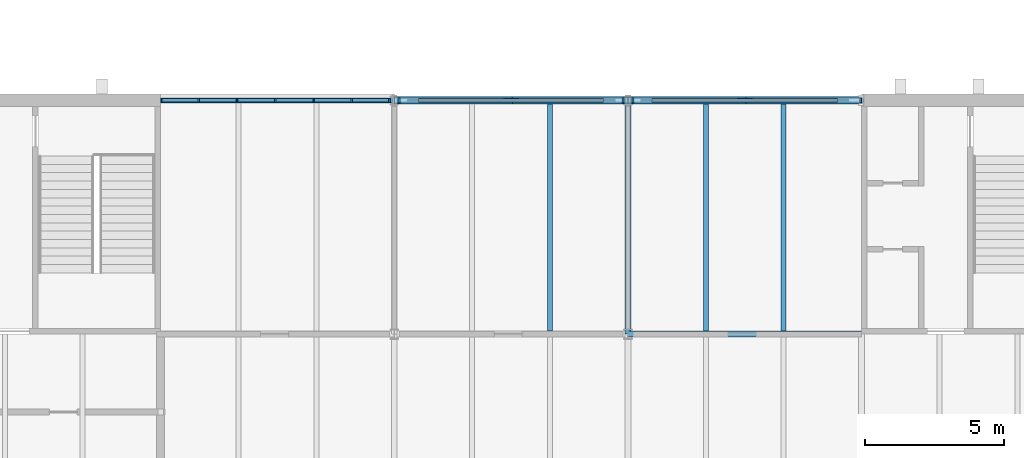
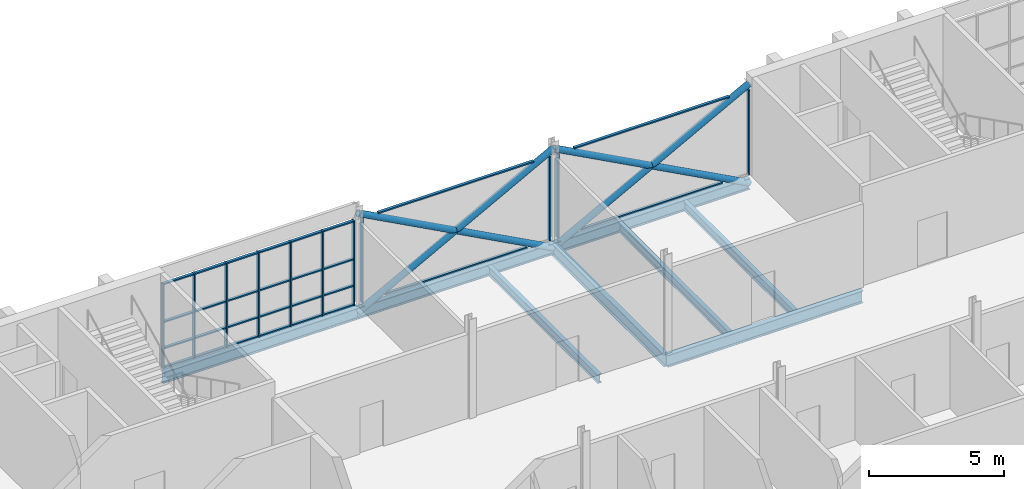
# One storey, part 49 of 129: 45 members, 8 beams, 3 elements without a shape of their own.
"""IFC4 building model written with IfcOpenShell, lengths in metres."""

from ifc_helpers import new_model, si_unit, direction, frame, origin, origin_2d, place, context, subcontext, project, spatial, rectangle, hollow_circle, i_section, extrude, material, layer, layer_set, material_profile, profile_set, type_object, element, aggregate, save


model = new_model("IFC4")

# Units and contexts
model_context = context("Model", 3, precision=1e-05, world=origin(), true_north=direction((0.0, 1.0)))
body_context = subcontext(model_context, "Body", "Model", "MODEL_VIEW")
ifc_project = project(units=[si_unit("LENGTHUNIT", "METRE"), si_unit("AREAUNIT", "SQUARE_METRE"), si_unit("VOLUMEUNIT", "CUBIC_METRE"), si_unit("PLANEANGLEUNIT", "RADIAN"), si_unit("MASSUNIT", "GRAM", prefix="KILO")], contexts=[model_context])

# Site, building, storey
site_placement = place(None, origin())
site = spatial("IfcSite", under=ifc_project, at=site_placement, CompositionType="ELEMENT")
building_placement = place(site_placement, origin())
building = spatial("IfcBuilding", under=site, at=building_placement, Name="Ardhachandra Cancer Care Centre", CompositionType="ELEMENT")
storey_placement = place(building_placement, frame((0.0, 0.0, 4.5)))
storey = spatial("IfcBuildingStorey", under=building, at=storey_placement, Name="L01", CompositionType="ELEMENT", Elevation=4.5)

# Beams
ifc_material_1 = material(Name="Steel E350 (IS 2062)", Category="steel")
ifc_material_profile_1 = material_profile(ifc_material_1, i_section(OverallWidth=0.179931640625, OverallDepth=0.39990234375, WebThickness=0.008544921875, FlangeThickness=0.013427734375, FilletRadius=0.02099609375, at=origin_2d()), Name="NPB 400x180x66.30")
ifc_profile_set_1 = profile_set([ifc_material_profile_1], Name="Steel E350 (IS 2062)")
beam_type_1 = type_object("IfcBeamType", Name="Beam NPB 400x180x66.30", PredefinedType="BEAM", material=ifc_profile_set_1)
for number, where, z_axis, x_axis, name in (
    (1, (58.39990234375, 88.304931640625, -0.35009765625), (0.0, 1.0, 0.0), (-1.0, 0.0, 0.0), "Secondary K6-L6@5600"),
    (2, (64.0, 88.304931640625, -0.35009765625), (0.0, 1.0, 0.0), (-1.0, 0.0, 0.0), "Secondary K7-L7@2800"),
    (3, (66.800048828125, 88.304931640625, -0.35009765625), (0.0, 1.0, 0.0), (-1.0, 0.0, 0.0), "Secondary K7-L7@5600"),
):
    element("IfcBeam", number, at=place(storey_placement, frame(where, z_axis=z_axis, x_axis=x_axis)), inside=storey, type_object=beam_type_1, Name=name, PredefinedType="BEAM", context=body_context, shape_type="SweptSolid", body=[
        extrude(i_section(OverallWidth=0.179931640625, OverallDepth=0.39990234375, WebThickness=0.008544921875, FlangeThickness=0.013427734375, FilletRadius=0.02099609375, at=origin_2d()), origin(), (0.0, 0.0, 1.0), 8.195068359375),
    ])
ifc_material_2 = material(Name="Steel E350 (IS 2062)", Category="steel")
ifc_material_profile_2 = material_profile(ifc_material_2, i_section(OverallWidth=0.199951171875, OverallDepth=0.5, WebThickness=0.01025390625, FlangeThickness=0.01611328125, FilletRadius=0.02099609375, at=origin_2d()), Name="NPB 500x200x90.68")
ifc_profile_set_2 = profile_set([ifc_material_profile_2], Name="Steel E350 (IS 2062)")
beam_type_2 = type_object("IfcBeamType", Name="Beam NPB 500x200x90.68", PredefinedType="BEAM", material=ifc_profile_set_2)
beam_1_placement = place(storey_placement, frame((44.39990234375, 96.60009765625, -0.39990234375), z_axis=(1.0, 0.0, 0.0), x_axis=(0.0, 1.0, 0.0)))
element("IfcBeam", 4, at=beam_1_placement, inside=storey, type_object=beam_type_2, Name="Edge girder L5-L6", PredefinedType="BEAM", context=body_context, shape_type="SweptSolid", body=[
    extrude(i_section(OverallWidth=0.199951171875, OverallDepth=0.5, WebThickness=0.01025390625, FlangeThickness=0.01611328125, FilletRadius=0.02099609375, at=origin_2d()), origin(), (0.0, 0.0, 1.0), 8.400146484375),
])
beam_2_placement = place(storey_placement, frame((52.800048828125, 96.60009765625, -0.39990234375), z_axis=(1.0, 0.0, 0.0), x_axis=(0.0, 1.0, 0.0)))
element("IfcBeam", 5, at=beam_2_placement, inside=storey, type_object=beam_type_2, Name="Edge girder L6-L7", PredefinedType="BEAM", context=body_context, shape_type="SweptSolid", body=[
    extrude(i_section(OverallWidth=0.199951171875, OverallDepth=0.5, WebThickness=0.01025390625, FlangeThickness=0.01611328125, FilletRadius=0.02099609375, at=origin_2d()), origin(), (0.0, 0.0, 1.0), 8.39990234375),
])
beam_3_placement = place(storey_placement, frame((61.199951171875, 96.60009765625, -0.39990234375), z_axis=(1.0, 0.0, 0.0), x_axis=(0.0, 1.0, 0.0)))
element("IfcBeam", 6, at=beam_3_placement, inside=storey, type_object=beam_type_2, Name="Edge girder L7-L8", PredefinedType="BEAM", context=body_context, shape_type="SweptSolid", body=[
    extrude(i_section(OverallWidth=0.199951171875, OverallDepth=0.5, WebThickness=0.01025390625, FlangeThickness=0.01611328125, FilletRadius=0.02099609375, at=origin_2d()), origin(), (0.0, 0.0, 1.0), 8.400146484375),
])
ifc_material_3 = material(Name="Steel E350 (IS 2062)", Category="steel")
ifc_material_profile_3 = material_profile(ifc_material_3, i_section(OverallWidth=0.2099609375, OverallDepth=0.550048828125, WebThickness=0.010986328125, FlangeThickness=0.01708984375, FilletRadius=0.02392578125, at=origin_2d()), Name="NPB 550x210x105.52")
ifc_profile_set_3 = profile_set([ifc_material_profile_3], Name="Steel E350 (IS 2062)")
beam_type_3 = type_object("IfcBeamType", Name="Beam NPB 550x210x105.52", PredefinedType="BEAM", material=ifc_profile_set_3)
for number, where, z_axis, x_axis, name in (
    (7, (61.199951171875, 88.199951171875, -0.425048828125), (1.0, 0.0, 0.0), (0.0, 1.0, 0.0), "Girder K7-K8"),
    (8, (61.199951171875, 88.199951171875, -0.425048828125), (0.0, 1.0, 0.0), (-1.0, 0.0, 0.0), "Girder K7-L7"),
):
    element("IfcBeam", number, at=place(storey_placement, frame(where, z_axis=z_axis, x_axis=x_axis)), inside=storey, type_object=beam_type_3, Name=name, PredefinedType="BEAM", context=body_context, shape_type="SweptSolid", body=[
        extrude(i_section(OverallWidth=0.2099609375, OverallDepth=0.550048828125, WebThickness=0.010986328125, FlangeThickness=0.01708984375, FilletRadius=0.02392578125, at=origin_2d()), origin(), (0.0, 0.0, 1.0), 8.400146484375),
    ])

# Members
ifc_material_4 = material(Name="Steel E350 (IS 2062)", Category="steel")
ifc_material_profile_4 = material_profile(ifc_material_4, hollow_circle(Radius=0.136474609375, WallThickness=0.010009765625, at=origin_2d()), Name="CHS 273x10.0")
ifc_profile_set_4 = profile_set([ifc_material_profile_4], Name="Steel E350 (IS 2062)")
member_type_1 = type_object("IfcMemberType", Name="Brace CHS 273x10.0", PredefinedType="BRACE", material=ifc_profile_set_4)
member_1_placement = place(storey_placement, frame((52.800048828125, 96.60009765625, -0.39990234375), z_axis=(0.881477684796, 0.0, 0.472225678258), x_axis=(0.0, 1.0, 0.0)))
element("IfcMember", 9, at=member_1_placement, inside=storey, type_object=member_type_1, Name="Brace V1-X966-528 L01 A", PredefinedType="BRACE", context=body_context, shape_type="SweptSolid", body=[
    extrude(hollow_circle(Radius=0.136474609375, WallThickness=0.010009765625, at=origin_2d()), origin(), (0.0, 0.0, 1.0), 9.529296875),
])
for number, where, z_axis, x_axis, name in (
    (10, (61.199951171875, 96.60009765625, -0.39990234375), (-0.881477684796, 0.0, 0.472225678258), (0.0, -1.0, 0.0), "Brace V1-X966-528 L01 B1"),
    (11, (57.0, 96.60009765625, 1.85009765625), (-0.881477684796, 0.0, 0.472225678258), (0.0, -1.0, 0.0), "Brace V1-X966-528 L01 B2"),
):
    element("IfcMember", number, at=place(storey_placement, frame(where, z_axis=z_axis, x_axis=x_axis)), inside=storey, type_object=member_type_1, Name=name, PredefinedType="BRACE", context=body_context, shape_type="SweptSolid", body=[
        extrude(hollow_circle(Radius=0.136474609375, WallThickness=0.010009765625, at=origin_2d()), origin(), (0.0, 0.0, 1.0), 4.7646484375),
    ])
member_2_placement = place(storey_placement, frame((61.199951171875, 96.60009765625, -0.39990234375), z_axis=(0.881483397762, 0.0, 0.472215014025), x_axis=(0.0, 1.0, 0.0)))
element("IfcMember", 12, at=member_2_placement, inside=storey, type_object=member_type_1, Name="Brace V1-X966-612 L01 A", PredefinedType="BRACE", context=body_context, shape_type="SweptSolid", body=[
    extrude(hollow_circle(Radius=0.136474609375, WallThickness=0.010009765625, at=origin_2d()), origin(), (0.0, 0.0, 1.0), 9.529541015625),
])
member_3_placement = place(storey_placement, frame((69.60009765625, 96.60009765625, -0.39990234375), z_axis=(-0.881489110341, 0.0, 0.472204350203), x_axis=(0.0, -1.0, 0.0)))
element("IfcMember", 13, at=member_3_placement, inside=storey, type_object=member_type_1, Name="Brace V1-X966-612 L01 B1", PredefinedType="BRACE", context=body_context, shape_type="SweptSolid", body=[
    extrude(hollow_circle(Radius=0.136474609375, WallThickness=0.010009765625, at=origin_2d()), origin(), (0.0, 0.0, 1.0), 4.764892578125),
])
member_4_placement = place(storey_placement, frame((65.39990234375, 96.60009765625, 1.85009765625), z_axis=(-0.881477684796, 0.0, 0.472225678258), x_axis=(0.0, -1.0, 0.0)))
element("IfcMember", 14, at=member_4_placement, inside=storey, type_object=member_type_1, Name="Brace V1-X966-612 L01 B2", PredefinedType="BRACE", context=body_context, shape_type="SweptSolid", body=[
    extrude(hollow_circle(Radius=0.136474609375, WallThickness=0.010009765625, at=origin_2d()), origin(), (0.0, 0.0, 1.0), 4.7646484375),
])

# Curtain wall, members
ifc_material_5 = material(Name="Aluminium extrusion", Category="aluminium")
ifc_layer = layer(ifc_material_5, 0.14990234375)
ifc_layer_set = layer_set([ifc_layer], Name="Aluminium extrusion")
curtain_wall_type = type_object("IfcCurtainWallType", Name="Curtain wall run", PredefinedType="NOTDEFINED", material=ifc_layer_set)
curtain_wall_1_placement = place(storey_placement, origin())
curtain_wall_1 = element("IfcCurtainWall", 15, at=curtain_wall_1_placement, inside=storey, type_object=curtain_wall_type, Name="Curtain wall L01 n/0044400_0096600", PredefinedType="NOTDEFINED")
ifc_material_6 = material(Name="Aluminium extrusion", Category="aluminium")
ifc_material_profile_5 = material_profile(ifc_material_6, rectangle(XDim=0.159912109375, YDim=0.06005859375, at=origin_2d()), Name="Curtain wall mullion 60 x 160")
ifc_profile_set_5 = profile_set([ifc_material_profile_5], Name="Aluminium extrusion")
member_type_2 = type_object("IfcMemberType", Name="Curtain wall mullion 60 x 160", PredefinedType="MULLION", material=ifc_profile_set_5)
member_5_placement = place(storey_placement, frame((44.429931640625, 96.60009765625, 0.0), z_axis=(0.0, 0.0, 1.0), x_axis=(0.0, 1.0, 0.0)))
member_5 = element("IfcMember", 16, at=member_5_placement, type_object=member_type_2, Name="CW mullion 1", PredefinedType="MULLION", context=body_context, shape_type="SweptSolid", body=[
    extrude(rectangle(XDim=0.159912109375, YDim=0.06005859375, at=origin_2d()), origin(), (0.0, 0.0, 1.0), 3.85009765625),
])
member_6_placement = place(storey_placement, frame((45.77490234375, 96.60009765625, 0.0), z_axis=(0.0, 0.0, 1.0), x_axis=(0.0, 1.0, 0.0)))
member_6 = element("IfcMember", 17, at=member_6_placement, type_object=member_type_2, Name="CW mullion 2", PredefinedType="MULLION", context=body_context, shape_type="SweptSolid", body=[
    extrude(rectangle(XDim=0.159912109375, YDim=0.06005859375, at=origin_2d()), origin(), (0.0, 0.0, 1.0), 3.85009765625),
])
member_7_placement = place(storey_placement, frame((47.14990234375, 96.60009765625, 0.0), z_axis=(0.0, 0.0, 1.0), x_axis=(0.0, 1.0, 0.0)))
member_7 = element("IfcMember", 18, at=member_7_placement, type_object=member_type_2, Name="CW mullion 3", PredefinedType="MULLION", context=body_context, shape_type="SweptSolid", body=[
    extrude(rectangle(XDim=0.159912109375, YDim=0.06005859375, at=origin_2d()), origin(), (0.0, 0.0, 1.0), 3.85009765625),
])
member_8_placement = place(storey_placement, frame((48.52490234375, 96.60009765625, 0.0), z_axis=(0.0, 0.0, 1.0), x_axis=(0.0, 1.0, 0.0)))
member_8 = element("IfcMember", 19, at=member_8_placement, type_object=member_type_2, Name="CW mullion 4", PredefinedType="MULLION", context=body_context, shape_type="SweptSolid", body=[
    extrude(rectangle(XDim=0.159912109375, YDim=0.06005859375, at=origin_2d()), origin(), (0.0, 0.0, 1.0), 3.85009765625),
])
member_9_placement = place(storey_placement, frame((49.89990234375, 96.60009765625, 0.0), z_axis=(0.0, 0.0, 1.0), x_axis=(0.0, 1.0, 0.0)))
member_9 = element("IfcMember", 20, at=member_9_placement, type_object=member_type_2, Name="CW mullion 5", PredefinedType="MULLION", context=body_context, shape_type="SweptSolid", body=[
    extrude(rectangle(XDim=0.159912109375, YDim=0.06005859375, at=origin_2d()), origin(), (0.0, 0.0, 1.0), 3.85009765625),
])
member_10_placement = place(storey_placement, frame((51.27490234375, 96.60009765625, 0.0), z_axis=(0.0, 0.0, 1.0), x_axis=(0.0, 1.0, 0.0)))
member_10 = element("IfcMember", 21, at=member_10_placement, type_object=member_type_2, Name="CW mullion 6", PredefinedType="MULLION", context=body_context, shape_type="SweptSolid", body=[
    extrude(rectangle(XDim=0.159912109375, YDim=0.06005859375, at=origin_2d()), origin(), (0.0, 0.0, 1.0), 3.85009765625),
])
member_11_placement = place(storey_placement, frame((52.6201171875, 96.60009765625, 0.0), z_axis=(0.0, 0.0, 1.0), x_axis=(0.0, 1.0, 0.0)))
member_11 = element("IfcMember", 22, at=member_11_placement, type_object=member_type_2, Name="CW mullion 7", PredefinedType="MULLION", context=body_context, shape_type="SweptSolid", body=[
    extrude(rectangle(XDim=0.159912109375, YDim=0.06005859375, at=origin_2d()), origin(), (0.0, 0.0, 1.0), 3.85009765625),
])

curtain_wall_2_placement = place(storey_placement, origin())
curtain_wall_2 = element("IfcCurtainWall", 23, at=curtain_wall_2_placement, inside=storey, type_object=curtain_wall_type, Name="Curtain wall L01 n/0052800_0096600", PredefinedType="NOTDEFINED")
member_12_placement = place(storey_placement, frame((52.97998046875, 96.60009765625, 0.0), z_axis=(0.0, 0.0, 1.0), x_axis=(0.0, 1.0, 0.0)))
member_12 = element("IfcMember", 24, at=member_12_placement, type_object=member_type_2, Name="CW mullion 1", PredefinedType="MULLION", context=body_context, shape_type="SweptSolid", body=[
    extrude(rectangle(XDim=0.159912109375, YDim=0.06005859375, at=origin_2d()), origin(), (0.0, 0.0, 1.0), 3.8310546875),
])
member_13_placement = place(storey_placement, frame((61.02001953125, 96.60009765625, 0.0), z_axis=(0.0, 0.0, 1.0), x_axis=(0.0, 1.0, 0.0)))
member_13 = element("IfcMember", 25, at=member_13_placement, type_object=member_type_2, Name="CW mullion 2", PredefinedType="MULLION", context=body_context, shape_type="SweptSolid", body=[
    extrude(rectangle(XDim=0.159912109375, YDim=0.06005859375, at=origin_2d()), origin(), (0.0, 0.0, 1.0), 3.8310546875),
])

curtain_wall_3_placement = place(storey_placement, origin())
curtain_wall_3 = element("IfcCurtainWall", 26, at=curtain_wall_3_placement, inside=storey, type_object=curtain_wall_type, Name="Curtain wall L01 n/0061200_0096600", PredefinedType="NOTDEFINED")
member_14_placement = place(storey_placement, frame((61.3798828125, 96.60009765625, 0.0), z_axis=(0.0, 0.0, 1.0), x_axis=(0.0, 1.0, 0.0)))
member_14 = element("IfcMember", 27, at=member_14_placement, type_object=member_type_2, Name="CW mullion 1", PredefinedType="MULLION", context=body_context, shape_type="SweptSolid", body=[
    extrude(rectangle(XDim=0.159912109375, YDim=0.06005859375, at=origin_2d()), origin(), (0.0, 0.0, 1.0), 3.8310546875),
])
member_15_placement = place(storey_placement, frame((69.570068359375, 96.60009765625, 0.0), z_axis=(0.0, 0.0, 1.0), x_axis=(0.0, 1.0, 0.0)))
member_15 = element("IfcMember", 28, at=member_15_placement, type_object=member_type_2, Name="CW mullion 2", PredefinedType="MULLION", context=body_context, shape_type="SweptSolid", body=[
    extrude(rectangle(XDim=0.159912109375, YDim=0.06005859375, at=origin_2d()), origin(), (0.0, 0.0, 1.0), 3.85009765625),
])

# Member
ifc_material_7 = material(Name="Aluminium extrusion", Category="aluminium")
ifc_material_profile_6 = material_profile(ifc_material_7, rectangle(XDim=0.1201171875, YDim=0.06005859375, at=origin_2d()), Name="Curtain wall transom 60 x 120")
ifc_profile_set_6 = profile_set([ifc_material_profile_6], Name="Aluminium extrusion")
member_type_3 = type_object("IfcMemberType", Name="Curtain wall transom 60 x 120", PredefinedType="USERDEFINED", material=ifc_profile_set_6)
member_16_placement = place(storey_placement, frame((44.4599609375, 96.60009765625, 0.030029296875), z_axis=(1.0, 0.0, 0.0), x_axis=(0.0, 1.0, 0.0)))
member_16 = element("IfcMember", 29, at=member_16_placement, type_object=member_type_3, Name="CW transom 1.1", ObjectType="TRANSOM", PredefinedType="USERDEFINED", context=body_context, shape_type="SweptSolid", body=[
    extrude(rectangle(XDim=0.1201171875, YDim=0.06005859375, at=origin_2d()), origin(), (0.0, 0.0, 1.0), 1.28515625),
])

member_17_placement = place(storey_placement, frame((44.4599609375, 96.60009765625, 0.89990234375), z_axis=(1.0, 0.0, 0.0), x_axis=(0.0, 1.0, 0.0)))
member_17 = element("IfcMember", 30, at=member_17_placement, type_object=member_type_3, Name="CW transom 1.2", ObjectType="TRANSOM", PredefinedType="USERDEFINED", context=body_context, shape_type="SweptSolid", body=[
    extrude(rectangle(XDim=0.1201171875, YDim=0.06005859375, at=origin_2d()), origin(), (0.0, 0.0, 1.0), 1.28515625),
])

member_18_placement = place(storey_placement, frame((44.4599609375, 96.60009765625, 2.10009765625), z_axis=(1.0, 0.0, 0.0), x_axis=(0.0, 1.0, 0.0)))
member_18 = element("IfcMember", 31, at=member_18_placement, type_object=member_type_3, Name="CW transom 1.3", ObjectType="TRANSOM", PredefinedType="USERDEFINED", context=body_context, shape_type="SweptSolid", body=[
    extrude(rectangle(XDim=0.1201171875, YDim=0.06005859375, at=origin_2d()), origin(), (0.0, 0.0, 1.0), 1.28515625),
])

member_19_placement = place(storey_placement, frame((44.4599609375, 96.60009765625, 3.820068359375), z_axis=(1.0, 0.0, 0.0), x_axis=(0.0, 1.0, 0.0)))
member_19 = element("IfcMember", 32, at=member_19_placement, type_object=member_type_3, Name="CW transom 1.4", ObjectType="TRANSOM", PredefinedType="USERDEFINED", context=body_context, shape_type="SweptSolid", body=[
    extrude(rectangle(XDim=0.1201171875, YDim=0.06005859375, at=origin_2d()), origin(), (0.0, 0.0, 1.0), 1.28515625),
])

member_20_placement = place(storey_placement, frame((45.804931640625, 96.60009765625, 0.030029296875), z_axis=(1.0, 0.0, 0.0), x_axis=(0.0, 1.0, 0.0)))
member_20 = element("IfcMember", 33, at=member_20_placement, type_object=member_type_3, Name="CW transom 2.1", ObjectType="TRANSOM", PredefinedType="USERDEFINED", context=body_context, shape_type="SweptSolid", body=[
    extrude(rectangle(XDim=0.1201171875, YDim=0.06005859375, at=origin_2d()), origin(), (0.0, 0.0, 1.0), 1.315185546875),
])

member_21_placement = place(storey_placement, frame((45.804931640625, 96.60009765625, 0.89990234375), z_axis=(1.0, 0.0, 0.0), x_axis=(0.0, 1.0, 0.0)))
member_21 = element("IfcMember", 34, at=member_21_placement, type_object=member_type_3, Name="CW transom 2.2", ObjectType="TRANSOM", PredefinedType="USERDEFINED", context=body_context, shape_type="SweptSolid", body=[
    extrude(rectangle(XDim=0.1201171875, YDim=0.06005859375, at=origin_2d()), origin(), (0.0, 0.0, 1.0), 1.315185546875),
])

member_22_placement = place(storey_placement, frame((45.804931640625, 96.60009765625, 2.10009765625), z_axis=(1.0, 0.0, 0.0), x_axis=(0.0, 1.0, 0.0)))
member_22 = element("IfcMember", 35, at=member_22_placement, type_object=member_type_3, Name="CW transom 2.3", ObjectType="TRANSOM", PredefinedType="USERDEFINED", context=body_context, shape_type="SweptSolid", body=[
    extrude(rectangle(XDim=0.1201171875, YDim=0.06005859375, at=origin_2d()), origin(), (0.0, 0.0, 1.0), 1.315185546875),
])

member_23_placement = place(storey_placement, frame((45.804931640625, 96.60009765625, 3.820068359375), z_axis=(1.0, 0.0, 0.0), x_axis=(0.0, 1.0, 0.0)))
member_23 = element("IfcMember", 36, at=member_23_placement, type_object=member_type_3, Name="CW transom 2.4", ObjectType="TRANSOM", PredefinedType="USERDEFINED", context=body_context, shape_type="SweptSolid", body=[
    extrude(rectangle(XDim=0.1201171875, YDim=0.06005859375, at=origin_2d()), origin(), (0.0, 0.0, 1.0), 1.315185546875),
])

member_24_placement = place(storey_placement, frame((47.179931640625, 96.60009765625, 0.030029296875), z_axis=(1.0, 0.0, 0.0), x_axis=(0.0, 1.0, 0.0)))
member_24 = element("IfcMember", 37, at=member_24_placement, type_object=member_type_3, Name="CW transom 3.1", ObjectType="TRANSOM", PredefinedType="USERDEFINED", context=body_context, shape_type="SweptSolid", body=[
    extrude(rectangle(XDim=0.1201171875, YDim=0.06005859375, at=origin_2d()), origin(), (0.0, 0.0, 1.0), 1.315185546875),
])

member_25_placement = place(storey_placement, frame((47.179931640625, 96.60009765625, 0.89990234375), z_axis=(1.0, 0.0, 0.0), x_axis=(0.0, 1.0, 0.0)))
member_25 = element("IfcMember", 38, at=member_25_placement, type_object=member_type_3, Name="CW transom 3.2", ObjectType="TRANSOM", PredefinedType="USERDEFINED", context=body_context, shape_type="SweptSolid", body=[
    extrude(rectangle(XDim=0.1201171875, YDim=0.06005859375, at=origin_2d()), origin(), (0.0, 0.0, 1.0), 1.315185546875),
])

member_26_placement = place(storey_placement, frame((47.179931640625, 96.60009765625, 2.10009765625), z_axis=(1.0, 0.0, 0.0), x_axis=(0.0, 1.0, 0.0)))
member_26 = element("IfcMember", 39, at=member_26_placement, type_object=member_type_3, Name="CW transom 3.3", ObjectType="TRANSOM", PredefinedType="USERDEFINED", context=body_context, shape_type="SweptSolid", body=[
    extrude(rectangle(XDim=0.1201171875, YDim=0.06005859375, at=origin_2d()), origin(), (0.0, 0.0, 1.0), 1.315185546875),
])

member_27_placement = place(storey_placement, frame((47.179931640625, 96.60009765625, 3.820068359375), z_axis=(1.0, 0.0, 0.0), x_axis=(0.0, 1.0, 0.0)))
member_27 = element("IfcMember", 40, at=member_27_placement, type_object=member_type_3, Name="CW transom 3.4", ObjectType="TRANSOM", PredefinedType="USERDEFINED", context=body_context, shape_type="SweptSolid", body=[
    extrude(rectangle(XDim=0.1201171875, YDim=0.06005859375, at=origin_2d()), origin(), (0.0, 0.0, 1.0), 1.315185546875),
])

member_28_placement = place(storey_placement, frame((48.554931640625, 96.60009765625, 0.030029296875), z_axis=(1.0, 0.0, 0.0), x_axis=(0.0, 1.0, 0.0)))
member_28 = element("IfcMember", 41, at=member_28_placement, type_object=member_type_3, Name="CW transom 4.1", ObjectType="TRANSOM", PredefinedType="USERDEFINED", context=body_context, shape_type="SweptSolid", body=[
    extrude(rectangle(XDim=0.1201171875, YDim=0.06005859375, at=origin_2d()), origin(), (0.0, 0.0, 1.0), 1.315185546875),
])

member_29_placement = place(storey_placement, frame((48.554931640625, 96.60009765625, 0.89990234375), z_axis=(1.0, 0.0, 0.0), x_axis=(0.0, 1.0, 0.0)))
member_29 = element("IfcMember", 42, at=member_29_placement, type_object=member_type_3, Name="CW transom 4.2", ObjectType="TRANSOM", PredefinedType="USERDEFINED", context=body_context, shape_type="SweptSolid", body=[
    extrude(rectangle(XDim=0.1201171875, YDim=0.06005859375, at=origin_2d()), origin(), (0.0, 0.0, 1.0), 1.315185546875),
])

member_30_placement = place(storey_placement, frame((48.554931640625, 96.60009765625, 2.10009765625), z_axis=(1.0, 0.0, 0.0), x_axis=(0.0, 1.0, 0.0)))
member_30 = element("IfcMember", 43, at=member_30_placement, type_object=member_type_3, Name="CW transom 4.3", ObjectType="TRANSOM", PredefinedType="USERDEFINED", context=body_context, shape_type="SweptSolid", body=[
    extrude(rectangle(XDim=0.1201171875, YDim=0.06005859375, at=origin_2d()), origin(), (0.0, 0.0, 1.0), 1.315185546875),
])

member_31_placement = place(storey_placement, frame((48.554931640625, 96.60009765625, 3.820068359375), z_axis=(1.0, 0.0, 0.0), x_axis=(0.0, 1.0, 0.0)))
member_31 = element("IfcMember", 44, at=member_31_placement, type_object=member_type_3, Name="CW transom 4.4", ObjectType="TRANSOM", PredefinedType="USERDEFINED", context=body_context, shape_type="SweptSolid", body=[
    extrude(rectangle(XDim=0.1201171875, YDim=0.06005859375, at=origin_2d()), origin(), (0.0, 0.0, 1.0), 1.315185546875),
])

member_32_placement = place(storey_placement, frame((49.929931640625, 96.60009765625, 0.030029296875), z_axis=(1.0, 0.0, 0.0), x_axis=(0.0, 1.0, 0.0)))
member_32 = element("IfcMember", 45, at=member_32_placement, type_object=member_type_3, Name="CW transom 5.1", ObjectType="TRANSOM", PredefinedType="USERDEFINED", context=body_context, shape_type="SweptSolid", body=[
    extrude(rectangle(XDim=0.1201171875, YDim=0.06005859375, at=origin_2d()), origin(), (0.0, 0.0, 1.0), 1.315185546875),
])

member_33_placement = place(storey_placement, frame((49.929931640625, 96.60009765625, 0.89990234375), z_axis=(1.0, 0.0, 0.0), x_axis=(0.0, 1.0, 0.0)))
member_33 = element("IfcMember", 46, at=member_33_placement, type_object=member_type_3, Name="CW transom 5.2", ObjectType="TRANSOM", PredefinedType="USERDEFINED", context=body_context, shape_type="SweptSolid", body=[
    extrude(rectangle(XDim=0.1201171875, YDim=0.06005859375, at=origin_2d()), origin(), (0.0, 0.0, 1.0), 1.315185546875),
])

member_34_placement = place(storey_placement, frame((49.929931640625, 96.60009765625, 2.10009765625), z_axis=(1.0, 0.0, 0.0), x_axis=(0.0, 1.0, 0.0)))
member_34 = element("IfcMember", 47, at=member_34_placement, type_object=member_type_3, Name="CW transom 5.3", ObjectType="TRANSOM", PredefinedType="USERDEFINED", context=body_context, shape_type="SweptSolid", body=[
    extrude(rectangle(XDim=0.1201171875, YDim=0.06005859375, at=origin_2d()), origin(), (0.0, 0.0, 1.0), 1.315185546875),
])

member_35_placement = place(storey_placement, frame((49.929931640625, 96.60009765625, 3.820068359375), z_axis=(1.0, 0.0, 0.0), x_axis=(0.0, 1.0, 0.0)))
member_35 = element("IfcMember", 48, at=member_35_placement, type_object=member_type_3, Name="CW transom 5.4", ObjectType="TRANSOM", PredefinedType="USERDEFINED", context=body_context, shape_type="SweptSolid", body=[
    extrude(rectangle(XDim=0.1201171875, YDim=0.06005859375, at=origin_2d()), origin(), (0.0, 0.0, 1.0), 1.315185546875),
])

member_36_placement = place(storey_placement, frame((51.304931640625, 96.60009765625, 0.030029296875), z_axis=(1.0, 0.0, 0.0), x_axis=(0.0, 1.0, 0.0)))
member_36 = element("IfcMember", 49, at=member_36_placement, type_object=member_type_3, Name="CW transom 6.1", ObjectType="TRANSOM", PredefinedType="USERDEFINED", context=body_context, shape_type="SweptSolid", body=[
    extrude(rectangle(XDim=0.1201171875, YDim=0.06005859375, at=origin_2d()), origin(), (0.0, 0.0, 1.0), 1.28515625),
])

member_37_placement = place(storey_placement, frame((51.304931640625, 96.60009765625, 0.89990234375), z_axis=(1.0, 0.0, 0.0), x_axis=(0.0, 1.0, 0.0)))
member_37 = element("IfcMember", 50, at=member_37_placement, type_object=member_type_3, Name="CW transom 6.2", ObjectType="TRANSOM", PredefinedType="USERDEFINED", context=body_context, shape_type="SweptSolid", body=[
    extrude(rectangle(XDim=0.1201171875, YDim=0.06005859375, at=origin_2d()), origin(), (0.0, 0.0, 1.0), 1.28515625),
])

member_38_placement = place(storey_placement, frame((51.304931640625, 96.60009765625, 2.10009765625), z_axis=(1.0, 0.0, 0.0), x_axis=(0.0, 1.0, 0.0)))
member_38 = element("IfcMember", 51, at=member_38_placement, type_object=member_type_3, Name="CW transom 6.3", ObjectType="TRANSOM", PredefinedType="USERDEFINED", context=body_context, shape_type="SweptSolid", body=[
    extrude(rectangle(XDim=0.1201171875, YDim=0.06005859375, at=origin_2d()), origin(), (0.0, 0.0, 1.0), 1.28515625),
])

member_39_placement = place(storey_placement, frame((51.304931640625, 96.60009765625, 3.820068359375), z_axis=(1.0, 0.0, 0.0), x_axis=(0.0, 1.0, 0.0)))
member_39 = element("IfcMember", 52, at=member_39_placement, type_object=member_type_3, Name="CW transom 6.4", ObjectType="TRANSOM", PredefinedType="USERDEFINED", context=body_context, shape_type="SweptSolid", body=[
    extrude(rectangle(XDim=0.1201171875, YDim=0.06005859375, at=origin_2d()), origin(), (0.0, 0.0, 1.0), 1.28515625),
])

aggregate(curtain_wall_1, [member_5, member_6, member_7, member_8, member_9, member_10, member_11, member_16, member_17, member_18, member_19, member_20, member_21, member_22, member_23, member_24, member_25, member_26, member_27, member_28, member_29, member_30, member_31, member_32, member_33, member_34, member_35, member_36, member_37, member_38, member_39])

member_40_placement = place(storey_placement, frame((53.950927734375, 96.60009765625, 0.030029296875), z_axis=(1.0, 0.0, 0.0), x_axis=(0.0, 1.0, 0.0)))
member_40 = element("IfcMember", 53, at=member_40_placement, type_object=member_type_3, Name="CW transom 1.1", ObjectType="TRANSOM", PredefinedType="USERDEFINED", context=body_context, shape_type="SweptSolid", body=[
    extrude(rectangle(XDim=0.1201171875, YDim=0.06005859375, at=origin_2d()), origin(), (0.0, 0.0, 1.0), 6.09912109375),
])

member_41_placement = place(storey_placement, frame((53.669921875, 96.60009765625, 3.820068359375), z_axis=(1.0, 0.0, 0.0), x_axis=(0.0, 1.0, 0.0)))
member_41 = element("IfcMember", 54, at=member_41_placement, type_object=member_type_3, Name="CW transom 1.2", ObjectType="TRANSOM", PredefinedType="USERDEFINED", context=body_context, shape_type="SweptSolid", body=[
    extrude(rectangle(XDim=0.1201171875, YDim=0.06005859375, at=origin_2d()), origin(), (0.0, 0.0, 1.0), 6.66015625),
])

aggregate(curtain_wall_2, [member_12, member_13, member_40, member_41])

member_42_placement = place(storey_placement, frame((62.350830078125, 96.60009765625, 0.030029296875), z_axis=(1.0, 0.0, 0.0), x_axis=(0.0, 1.0, 0.0)))
member_42 = element("IfcMember", 55, at=member_42_placement, type_object=member_type_3, Name="CW transom 1.1", ObjectType="TRANSOM", PredefinedType="USERDEFINED", context=body_context, shape_type="SweptSolid", body=[
    extrude(rectangle(XDim=0.1201171875, YDim=0.06005859375, at=origin_2d()), origin(), (0.0, 0.0, 1.0), 6.099365234375),
])

member_43_placement = place(storey_placement, frame((62.06982421875, 96.60009765625, 3.820068359375), z_axis=(1.0, 0.0, 0.0), x_axis=(0.0, 1.0, 0.0)))
member_43 = element("IfcMember", 56, at=member_43_placement, type_object=member_type_3, Name="CW transom 1.2", ObjectType="TRANSOM", PredefinedType="USERDEFINED", context=body_context, shape_type="SweptSolid", body=[
    extrude(rectangle(XDim=0.1201171875, YDim=0.06005859375, at=origin_2d()), origin(), (0.0, 0.0, 1.0), 6.660400390625),
])

aggregate(curtain_wall_3, [member_14, member_15, member_42, member_43])

save(model, "model.ifc")
